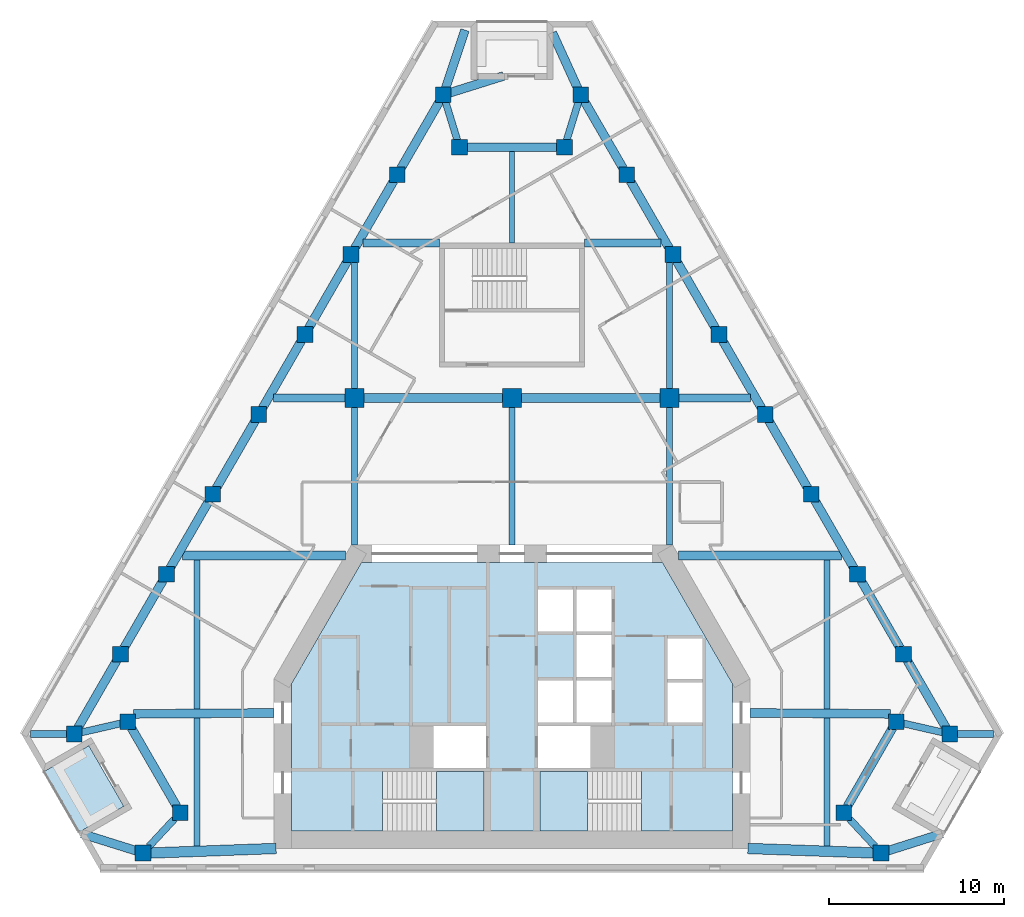
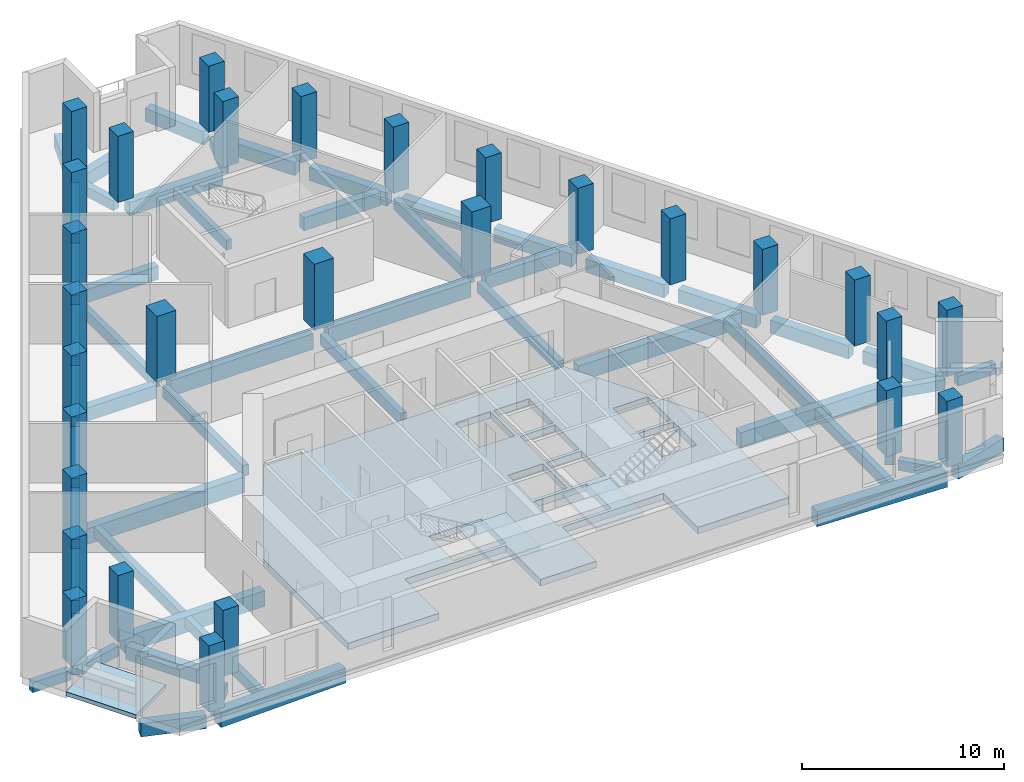
# One storey, part 1 of 9: 54 beams, 29 columns, 4 slabs, 2 elements without a shape of their own.
"""IFC4 building model written with IfcOpenShell, lengths in metres."""

from ifc_helpers import new_model, si_unit, direction, frame, origin, origin_2d, place, context, subcontext, project, spatial, polyline, rectangle, outline, extrude, material, layer, layer_set, material_profile, profile_set, type_object, element, aggregate, save


model = new_model("IFC4")

# Units and contexts
model_context = context("Model", 3, precision=1e-05, world=origin(), true_north=direction((0.0, 1.0)))
body_context = subcontext(model_context, "Body", "Model", "MODEL_VIEW")
ifc_project = project(units=[si_unit("LENGTHUNIT", "METRE"), si_unit("AREAUNIT", "SQUARE_METRE"), si_unit("VOLUMEUNIT", "CUBIC_METRE"), si_unit("PLANEANGLEUNIT", "RADIAN"), si_unit("MASSUNIT", "GRAM", prefix="KILO")], contexts=[model_context])

# Site, building, storey
site_placement = place(None, origin())
site = spatial("IfcSite", under=ifc_project, at=site_placement, CompositionType="ELEMENT")
building_placement = place(site_placement, origin())
building = spatial("IfcBuilding", under=site, at=building_placement, Name="Fogline Exchange Tower", CompositionType="ELEMENT")
storey_placement = place(building_placement, frame((0.0, 0.0, 182.10009765625)))
storey = spatial("IfcBuildingStorey", under=building, at=storey_placement, Name="L40", CompositionType="ELEMENT", Elevation=182.10009765625)

# Columns
ifc_material_1 = material(Name="Concrete C60", Category="concrete")
ifc_material_profile_1 = material_profile(ifc_material_1, rectangle(XDim=1.10009765625, YDim=1.10009765625, at=origin_2d()), Name="RC 1100x1100")
ifc_profile_set_1 = profile_set([ifc_material_profile_1], Name="Concrete C60")
column_type_1 = type_object("IfcColumnType", Name="C05", PredefinedType="COLUMN", material=ifc_profile_set_1)
for number, where, z_axis, x_axis, name in (
    (1, (-9.0, 27.0, 0.0), (0.0, 0.0, 1.0), (1.0, 0.0, 0.0), "IC--9-27"),
    (2, (0.0, 27.0, 0.0), (0.0, 0.0, 1.0), (1.0, 0.0, 0.0), "IC-0-27"),
    (3, (9.0, 27.0, 0.0), (0.0, 0.0, 1.0), (1.0, 0.0, 0.0), "IC-9-27"),
):
    element("IfcColumn", number, at=place(storey_placement, frame(where, z_axis=z_axis, x_axis=x_axis)), inside=storey, type_object=column_type_1, Name=name, PredefinedType="COLUMN", context=body_context, shape_type="SweptSolid", body=[
        extrude(rectangle(XDim=1.10009765625, YDim=1.10009765625, at=origin_2d()), origin(), (0.0, 0.0, 1.0), 4.0),
    ])
ifc_material_profile_2 = material_profile(ifc_material_1, rectangle(XDim=0.89990234375, YDim=0.89990234375, at=origin_2d()), Name="RC 900x900")
ifc_profile_set_2 = profile_set([ifc_material_profile_2], Name="Concrete C60")
column_type_2 = type_object("IfcColumnType", Name="C06", PredefinedType="COLUMN", material=ifc_profile_set_2)
for number, where, z_axis, x_axis, name in (
    (4, (-25.0146484375, 7.794189453125, 0.0), (0.0, 0.0, 1.0), (1.0, 0.0, 0.0), "SW-a"),
    (5, (-21.955322265625, 8.4951171875, 0.0), (0.0, 0.0, 1.0), (1.0, 0.0, 0.0), "SW-p4"),
    (6, (-18.955322265625, 3.299072265625, 0.0), (0.0, 0.0, 1.0), (1.0, 0.0, 0.0), "SW-p3"),
    (7, (-21.092041015625, 1.0, 0.0), (0.0, 0.0, 1.0), (1.0, 0.0, 0.0), "SW-b"),
    (8, (21.092041015625, 1.0, 0.0), (0.0, 0.0, 1.0), (1.0, 0.0, 0.0), "SE-a"),
    (9, (18.955322265625, 3.299072265625, 0.0), (0.0, 0.0, 1.0), (1.0, 0.0, 0.0), "SE-p4"),
    (10, (21.955322265625, 8.4951171875, 0.0), (0.0, 0.0, 1.0), (1.0, 0.0, 0.0), "SE-p3"),
    (11, (25.0146484375, 7.794189453125, 0.0), (0.0, 0.0, 1.0), (1.0, 0.0, 0.0), "SE-b"),
    (12, (22.378173828125, 12.36083984375, 0.0), (0.0, 0.0, 1.0), (1.0, 0.0, 0.0), "E1"),
    (13, (19.74169921875, 16.92724609375, 0.0), (0.0, 0.0, 1.0), (1.0, 0.0, 0.0), "E2"),
    (14, (17.105224609375, 21.493896484375, 0.0), (0.0, 0.0, 1.0), (1.0, 0.0, 0.0), "E3"),
    (15, (14.46875, 26.060302734375, 0.0), (0.0, 0.0, 1.0), (1.0, 0.0, 0.0), "E4"),
    (16, (11.832275390625, 30.626953125, 0.0), (0.0, 0.0, 1.0), (1.0, 0.0, 0.0), "E5"),
    (17, (9.19580078125, 35.193603515625, 0.0), (0.0, 0.0, 1.0), (1.0, 0.0, 0.0), "E6"),
    (18, (6.55908203125, 39.760009765625, 0.0), (0.0, 0.0, 1.0), (1.0, 0.0, 0.0), "E7"),
    (19, (3.922607421875, 44.32666015625, 0.0), (0.0, 0.0, 1.0), (1.0, 0.0, 0.0), "N-a"),
    (20, (3.0, 41.32666015625, 0.0), (0.0, 0.0, 1.0), (1.0, 0.0, 0.0), "N-p4"),
    (21, (-3.0, 41.32666015625, 0.0), (0.0, 0.0, 1.0), (1.0, 0.0, 0.0), "N-p3"),
    (22, (-3.922607421875, 44.32666015625, 0.0), (0.0, 0.0, 1.0), (1.0, 0.0, 0.0), "N-b"),
    (23, (-6.55908203125, 39.760009765625, 0.0), (0.0, 0.0, 1.0), (1.0, 0.0, 0.0), "W1"),
    (24, (-9.19580078125, 35.193603515625, 0.0), (0.0, 0.0, 1.0), (1.0, 0.0, 0.0), "W2"),
    (25, (-11.832275390625, 30.626953125, 0.0), (0.0, 0.0, 1.0), (1.0, 0.0, 0.0), "W3"),
    (26, (-14.46875, 26.060302734375, 0.0), (0.0, 0.0, 1.0), (1.0, 0.0, 0.0), "W4"),
    (27, (-17.105224609375, 21.493896484375, 0.0), (0.0, 0.0, 1.0), (1.0, 0.0, 0.0), "W5"),
    (28, (-19.74169921875, 16.92724609375, 0.0), (0.0, 0.0, 1.0), (1.0, 0.0, 0.0), "W6"),
    (29, (-22.378173828125, 12.36083984375, 0.0), (0.0, 0.0, 1.0), (1.0, 0.0, 0.0), "W7"),
):
    element("IfcColumn", number, at=place(storey_placement, frame(where, z_axis=z_axis, x_axis=x_axis)), inside=storey, type_object=column_type_2, Name=name, PredefinedType="COLUMN", context=body_context, shape_type="SweptSolid", body=[
        extrude(rectangle(XDim=0.89990234375, YDim=0.89990234375, at=origin_2d()), origin(), (0.0, 0.0, 1.0), 4.0),
    ])

# Beams
ifc_material_2 = material(Name="Concrete C40", Category="concrete")
ifc_material_profile_3 = material_profile(ifc_material_2, rectangle(XDim=0.300048828125, YDim=0.60009765625, at=origin_2d()), Name="RC 300x600")
ifc_profile_set_3 = profile_set([ifc_material_profile_3], Name="Concrete C40")
beam_type_1 = type_object("IfcBeamType", Name="B06", PredefinedType="BEAM", material=ifc_profile_set_3)
beam_1_placement = place(storey_placement, frame((0.0, 35.85693359375, -0.7001953125), z_axis=(0.0, 1.0, 0.0), x_axis=(-1.0, 0.0, 0.0)))
element("IfcBeam", 30, at=beam_1_placement, inside=storey, type_object=beam_type_1, Name="SB006", PredefinedType="BEAM", context=body_context, shape_type="SweptSolid", body=[
    extrude(rectangle(XDim=0.300048828125, YDim=0.60009765625, at=origin_2d()), origin(), (0.0, 0.0, 1.0), 5.2197265625),
])
ifc_material_profile_4 = material_profile(ifc_material_2, rectangle(XDim=0.60009765625, YDim=0.89990234375, at=origin_2d()), Name="RC 600x900")
ifc_profile_set_4 = profile_set([ifc_material_profile_4], Name="Concrete C40")
beam_type_2 = type_object("IfcBeamType", Name="B09", PredefinedType="BEAM", material=ifc_profile_set_4)
beam_2_placement = place(storey_placement, frame((-20.761962890625, 0.990234375, -0.85009765625), z_axis=(0.999342679757, 0.036252012589, 0.0), x_axis=(-0.036252012589, 0.999342679757, 0.0)))
element("IfcBeam", 31, at=beam_2_placement, inside=storey, type_object=beam_type_2, Name="RB004", PredefinedType="BEAM", context=body_context, shape_type="SweptSolid", body=[
    extrude(rectangle(XDim=0.60009765625, YDim=0.89990234375, at=origin_2d()), origin(), (0.0, 0.0, 1.0), 7.286865234375),
])
beam_3_placement = place(storey_placement, frame((13.47998046875, 1.25439453125, -0.85009765625), z_axis=(0.999369113188, -0.035515850068, 0.0), x_axis=(0.035515850068, 0.999369113188, 0.0)))
element("IfcBeam", 32, at=beam_3_placement, inside=storey, type_object=beam_type_2, Name="RB005", PredefinedType="BEAM", context=body_context, shape_type="SweptSolid", body=[
    extrude(rectangle(XDim=0.60009765625, YDim=0.89990234375, at=origin_2d()), origin(), (0.0, 0.0, 1.0), 7.28662109375),
])
ifc_material_profile_5 = material_profile(ifc_material_2, rectangle(XDim=0.5, YDim=0.800048828125, at=origin_2d()), Name="RC 500x800")
ifc_profile_set_5 = profile_set([ifc_material_profile_5], Name="Concrete C40")
beam_type_3 = type_object("IfcBeamType", Name="B10", PredefinedType="BEAM", material=ifc_profile_set_5)
for number, where, z_axis, x_axis, name in (
    (33, (-21.75537109375, 8.149169921875, -0.800048828125), (0.499981160238, -0.866036280653, 0.0), (0.866036280653, 0.499981160238, 0.0), "RB002"),
    (34, (19.155029296875, 3.64501953125, -0.800048828125), (0.499981160238, 0.866036280653, 0.0), (-0.866036280653, 0.499981160238, 0.0), "RB007"),
):
    element("IfcBeam", number, at=place(storey_placement, frame(where, z_axis=z_axis, x_axis=x_axis)), inside=storey, type_object=beam_type_3, Name=name, PredefinedType="BEAM", context=body_context, shape_type="SweptSolid", body=[
        extrude(rectangle(XDim=0.5, YDim=0.800048828125, at=origin_2d()), origin(), (0.0, 0.0, 1.0), 5.200927734375),
    ])
beam_4_placement = place(storey_placement, frame((24.814697265625, 8.140380859375, -0.800048828125), z_axis=(-0.500001169707, 0.866024728453, 0.0), x_axis=(-0.866024728453, -0.500001169707, 0.0)))
element("IfcBeam", 35, at=beam_4_placement, inside=storey, type_object=beam_type_3, Name="RB009", PredefinedType="BEAM", context=body_context, shape_type="SweptSolid", body=[
    extrude(rectangle(XDim=0.5, YDim=0.800048828125, at=origin_2d()), origin(), (0.0, 0.0, 1.0), 4.4736328125),
])
beam_5_placement = place(storey_placement, frame((22.17822265625, 12.706787109375, -0.800048828125), z_axis=(-0.499977539641, 0.866038370891, 0.0), x_axis=(-0.866038370891, -0.499977539641, 0.0)))
element("IfcBeam", 36, at=beam_5_placement, inside=storey, type_object=beam_type_3, Name="RB010", PredefinedType="BEAM", context=body_context, shape_type="SweptSolid", body=[
    extrude(rectangle(XDim=0.5, YDim=0.800048828125, at=origin_2d()), origin(), (0.0, 0.0, 1.0), 4.473876953125),
])
for number, where, z_axis, x_axis, name in (
    (37, (19.541748046875, 17.2734375, -0.800048828125), (-0.500001169707, 0.866024728453, 0.0), (-0.866024728453, -0.500001169707, 0.0), "RB011"),
    (38, (16.9052734375, 21.840087890625, -0.800048828125), (-0.500001169707, 0.866024728453, 0.0), (-0.866024728453, -0.500001169707, 0.0), "RB012"),
):
    element("IfcBeam", number, at=place(storey_placement, frame(where, z_axis=z_axis, x_axis=x_axis)), inside=storey, type_object=beam_type_3, Name=name, PredefinedType="BEAM", context=body_context, shape_type="SweptSolid", body=[
        extrude(rectangle(XDim=0.5, YDim=0.800048828125, at=origin_2d()), origin(), (0.0, 0.0, 1.0), 4.4736328125),
    ])
beam_6_placement = place(storey_placement, frame((14.268798828125, 26.406494140625, -0.800048828125), z_axis=(-0.499977539641, 0.866038370891, 0.0), x_axis=(-0.866038370891, -0.499977539641, 0.0)))
element("IfcBeam", 39, at=beam_6_placement, inside=storey, type_object=beam_type_3, Name="RB013", PredefinedType="BEAM", context=body_context, shape_type="SweptSolid", body=[
    extrude(rectangle(XDim=0.5, YDim=0.800048828125, at=origin_2d()), origin(), (0.0, 0.0, 1.0), 4.473876953125),
])
beam_7_placement = place(storey_placement, frame((11.63232421875, 30.97314453125, -0.800048828125), z_axis=(-0.500001169707, 0.866024728453, 0.0), x_axis=(-0.866024728453, -0.500001169707, 0.0)))
element("IfcBeam", 40, at=beam_7_placement, inside=storey, type_object=beam_type_3, Name="RB014", PredefinedType="BEAM", context=body_context, shape_type="SweptSolid", body=[
    extrude(rectangle(XDim=0.5, YDim=0.800048828125, at=origin_2d()), origin(), (0.0, 0.0, 1.0), 4.4736328125),
])
for number, where, z_axis, x_axis, name in (
    (41, (8.995849609375, 35.53955078125, -0.800048828125), (-0.499977539641, 0.866038370891, 0.0), (-0.866038370891, -0.499977539641, 0.0), "RB015"),
    (42, (6.359375, 40.106201171875, -0.800048828125), (-0.499977539641, 0.866038370891, 0.0), (-0.866038370891, -0.499977539641, 0.0), "RB016"),
):
    element("IfcBeam", number, at=place(storey_placement, frame(where, z_axis=z_axis, x_axis=x_axis)), inside=storey, type_object=beam_type_3, Name=name, PredefinedType="BEAM", context=body_context, shape_type="SweptSolid", body=[
        extrude(rectangle(XDim=0.5, YDim=0.800048828125, at=origin_2d()), origin(), (0.0, 0.0, 1.0), 4.473876953125),
    ])
beam_8_placement = place(storey_placement, frame((2.669921875, 41.32666015625, -0.800048828125), z_axis=(-1.0, 0.0, 0.0), x_axis=(0.0, -1.0, 0.0)))
element("IfcBeam", 43, at=beam_8_placement, inside=storey, type_object=beam_type_3, Name="RB018", PredefinedType="BEAM", context=body_context, shape_type="SweptSolid", body=[
    extrude(rectangle(XDim=0.5, YDim=0.800048828125, at=origin_2d()), origin(), (0.0, 0.0, 1.0), 5.33984375),
])
for number, where, z_axis, x_axis, name in (
    (44, (-4.12255859375, 43.980712890625, -0.800048828125), (-0.499977539641, -0.866038370891, 0.0), (0.866038370891, -0.499977539641, 0.0), "RB020"),
    (45, (-6.759033203125, 39.4140625, -0.800048828125), (-0.499977539641, -0.866038370891, 0.0), (0.866038370891, -0.499977539641, 0.0), "RB021"),
):
    element("IfcBeam", number, at=place(storey_placement, frame(where, z_axis=z_axis, x_axis=x_axis)), inside=storey, type_object=beam_type_3, Name=name, PredefinedType="BEAM", context=body_context, shape_type="SweptSolid", body=[
        extrude(rectangle(XDim=0.5, YDim=0.800048828125, at=origin_2d()), origin(), (0.0, 0.0, 1.0), 4.473876953125),
    ])
beam_9_placement = place(storey_placement, frame((-9.3955078125, 34.847412109375, -0.800048828125), z_axis=(-0.500001169707, -0.866024728453, 0.0), x_axis=(0.866024728453, -0.500001169707, 0.0)))
element("IfcBeam", 46, at=beam_9_placement, inside=storey, type_object=beam_type_3, Name="RB022", PredefinedType="BEAM", context=body_context, shape_type="SweptSolid", body=[
    extrude(rectangle(XDim=0.5, YDim=0.800048828125, at=origin_2d()), origin(), (0.0, 0.0, 1.0), 4.4736328125),
])
beam_10_placement = place(storey_placement, frame((-12.031982421875, 30.281005859375, -0.800048828125), z_axis=(-0.499977539641, -0.866038370891, 0.0), x_axis=(0.866038370891, -0.499977539641, 0.0)))
element("IfcBeam", 47, at=beam_10_placement, inside=storey, type_object=beam_type_3, Name="RB023", PredefinedType="BEAM", context=body_context, shape_type="SweptSolid", body=[
    extrude(rectangle(XDim=0.5, YDim=0.800048828125, at=origin_2d()), origin(), (0.0, 0.0, 1.0), 4.473876953125),
])
for number, where, z_axis, x_axis, name in (
    (48, (-14.66845703125, 25.71435546875, -0.800048828125), (-0.500001169707, -0.866024728453, 0.0), (0.866024728453, -0.500001169707, 0.0), "RB024"),
    (49, (-17.304931640625, 21.147705078125, -0.800048828125), (-0.500001169707, -0.866024728453, 0.0), (0.866024728453, -0.500001169707, 0.0), "RB025"),
):
    element("IfcBeam", number, at=place(storey_placement, frame(where, z_axis=z_axis, x_axis=x_axis)), inside=storey, type_object=beam_type_3, Name=name, PredefinedType="BEAM", context=body_context, shape_type="SweptSolid", body=[
        extrude(rectangle(XDim=0.5, YDim=0.800048828125, at=origin_2d()), origin(), (0.0, 0.0, 1.0), 4.4736328125),
    ])
beam_11_placement = place(storey_placement, frame((-19.94140625, 16.581298828125, -0.800048828125), z_axis=(-0.499977539641, -0.866038370891, 0.0), x_axis=(0.866038370891, -0.499977539641, 0.0)))
element("IfcBeam", 50, at=beam_11_placement, inside=storey, type_object=beam_type_3, Name="RB026", PredefinedType="BEAM", context=body_context, shape_type="SweptSolid", body=[
    extrude(rectangle(XDim=0.5, YDim=0.800048828125, at=origin_2d()), origin(), (0.0, 0.0, 1.0), 4.473876953125),
])
beam_12_placement = place(storey_placement, frame((-22.577880859375, 12.0146484375, -0.800048828125), z_axis=(-0.500001169707, -0.866024728453, 0.0), x_axis=(0.866024728453, -0.500001169707, 0.0)))
element("IfcBeam", 51, at=beam_12_placement, inside=storey, type_object=beam_type_3, Name="RB027", PredefinedType="BEAM", context=body_context, shape_type="SweptSolid", body=[
    extrude(rectangle(XDim=0.5, YDim=0.800048828125, at=origin_2d()), origin(), (0.0, 0.0, 1.0), 4.4736328125),
])
beam_13_placement = place(storey_placement, frame((3.767578125, 44.66748046875, -0.800048828125), z_axis=(-0.41445501152, 0.910069801403, 0.0), x_axis=(-0.910069801403, -0.41445501152, 0.0)))
element("IfcBeam", 52, at=beam_13_placement, inside=storey, type_object=beam_type_3, Name="SP028", PredefinedType="BEAM", context=body_context, shape_type="SweptSolid", body=[
    extrude(rectangle(XDim=0.5, YDim=0.800048828125, at=origin_2d()), origin(), (0.0, 0.0, 1.0), 3.525634765625),
])
beam_14_placement = place(storey_placement, frame((-3.810546875, 44.662841796875, -0.800048828125), z_axis=(0.316475647373, 0.948600634946, 0.0), x_axis=(-0.948600634946, 0.316475647373, 0.0)))
element("IfcBeam", 53, at=beam_14_placement, inside=storey, type_object=beam_type_3, Name="SP029", PredefinedType="BEAM", context=body_context, shape_type="SweptSolid", body=[
    extrude(rectangle(XDim=0.5, YDim=0.800048828125, at=origin_2d()), origin(), (0.0, 0.0, 1.0), 3.54541015625),
])
beam_15_placement = place(storey_placement, frame((21.427490234375, 1.106201171875, -0.800048828125), z_axis=(0.9534363812, 0.301594209169, 0.0), x_axis=(-0.301594209169, 0.9534363812, 0.0)))
element("IfcBeam", 54, at=beam_15_placement, inside=storey, type_object=beam_type_3, Name="SP030", PredefinedType="BEAM", context=body_context, shape_type="SweptSolid", body=[
    extrude(rectangle(XDim=0.5, YDim=0.800048828125, at=origin_2d()), origin(), (0.0, 0.0, 1.0), 3.306884765625),
])
beam_16_placement = place(storey_placement, frame((-21.427490234375, 1.10498046875, -0.800048828125), z_axis=(-0.954241264911, 0.299037804202, 0.0), x_axis=(-0.299037804202, -0.954241264911, 0.0)))
element("IfcBeam", 55, at=beam_16_placement, inside=storey, type_object=beam_type_3, Name="SP031", PredefinedType="BEAM", context=body_context, shape_type="SweptSolid", body=[
    extrude(rectangle(XDim=0.5, YDim=0.800048828125, at=origin_2d()), origin(), (0.0, 0.0, 1.0), 3.31640625),
])
beam_17_placement = place(storey_placement, frame((-3.587158203125, 44.431640625, -0.800048828125), z_axis=(0.954371666349, 0.298621369749, 0.0), x_axis=(-0.298621369749, 0.954371666349, 0.0)))
element("IfcBeam", 56, at=beam_17_placement, inside=storey, type_object=beam_type_3, Name="SP034", PredefinedType="BEAM", context=body_context, shape_type="SweptSolid", body=[
    extrude(rectangle(XDim=0.5, YDim=0.800048828125, at=origin_2d()), origin(), (0.0, 0.0, 1.0), 3.250732421875),
])
ifc_material_profile_6 = material_profile(ifc_material_2, rectangle(XDim=0.39990234375, YDim=0.60009765625, at=origin_2d()), Name="RC 400x600")
ifc_profile_set_6 = profile_set([ifc_material_profile_6], Name="Concrete C40")
beam_type_4 = type_object("IfcBeamType", Name="B11", PredefinedType="BEAM", material=ifc_profile_set_6)
beam_18_placement = place(storey_placement, frame((-24.681640625, 7.87060546875, -0.7001953125), z_axis=(0.974743593216, 0.22332695199, 0.0), x_axis=(-0.22332695199, 0.974743593216, 0.0)))
element("IfcBeam", 57, at=beam_18_placement, inside=storey, type_object=beam_type_4, Name="RB001", PredefinedType="BEAM", context=body_context, shape_type="SweptSolid", body=[
    extrude(rectangle(XDim=0.39990234375, YDim=0.60009765625, at=origin_2d()), origin(), (0.0, 0.0, 1.0), 2.455322265625),
])
for number, where, z_axis, x_axis, name in (
    (58, (-19.291748046875, 2.93701171875, -0.7001953125), (-0.680803781492, -0.732465842962, 0.0), (0.732465842962, -0.680803781492, 0.0), "RB003"),
    (59, (20.755615234375, 1.362060546875, -0.7001953125), (-0.680803781492, 0.732465842962, 0.0), (-0.732465842962, -0.680803781492, 0.0), "RB006"),
):
    element("IfcBeam", number, at=place(storey_placement, frame(where, z_axis=z_axis, x_axis=x_axis)), inside=storey, type_object=beam_type_4, Name=name, PredefinedType="BEAM", context=body_context, shape_type="SweptSolid", body=[
        extrude(rectangle(XDim=0.39990234375, YDim=0.60009765625, at=origin_2d()), origin(), (0.0, 0.0, 1.0), 2.150146484375),
    ])
beam_19_placement = place(storey_placement, frame((22.288330078125, 8.4189453125, -0.7001953125), z_axis=(0.974743593216, -0.22332695199, 0.0), x_axis=(0.22332695199, 0.974743593216, 0.0)))
element("IfcBeam", 60, at=beam_19_placement, inside=storey, type_object=beam_type_4, Name="RB008", PredefinedType="BEAM", context=body_context, shape_type="SweptSolid", body=[
    extrude(rectangle(XDim=0.39990234375, YDim=0.60009765625, at=origin_2d()), origin(), (0.0, 0.0, 1.0), 2.455322265625),
])
for number, where, z_axis, x_axis, name in (
    (61, (3.819580078125, 43.991455078125, -0.7001953125), (-0.294022492362, -0.955798500724, 0.0), (0.955798500724, -0.294022492362, 0.0), "RB017"),
    (62, (-3.10302734375, 41.662109375, -0.7001953125), (-0.294022492362, 0.955798500724, 0.0), (-0.955798500724, -0.294022492362, 0.0), "RB019"),
):
    element("IfcBeam", number, at=place(storey_placement, frame(where, z_axis=z_axis, x_axis=x_axis)), inside=storey, type_object=beam_type_4, Name=name, PredefinedType="BEAM", context=body_context, shape_type="SweptSolid", body=[
        extrude(rectangle(XDim=0.39990234375, YDim=0.60009765625, at=origin_2d()), origin(), (0.0, 0.0, 1.0), 2.43701171875),
    ])
beam_20_placement = place(storey_placement, frame((-25.3447265625, 7.794189453125, -0.7001953125), z_axis=(-1.0, 0.0, 0.0), x_axis=(0.0, -1.0, 0.0)))
element("IfcBeam", 63, at=beam_20_placement, inside=storey, type_object=beam_type_4, Name="SP032", PredefinedType="BEAM", context=body_context, shape_type="SweptSolid", body=[
    extrude(rectangle(XDim=0.39990234375, YDim=0.60009765625, at=origin_2d()), origin(), (0.0, 0.0, 1.0), 2.1865234375),
])
beam_21_placement = place(storey_placement, frame((25.3447265625, 7.795654296875, -0.7001953125), z_axis=(0.999990452788, 0.00436970618, 0.0), x_axis=(-0.00436970618, 0.999990452788, 0.0)))
element("IfcBeam", 64, at=beam_21_placement, inside=storey, type_object=beam_type_4, Name="SP033", PredefinedType="BEAM", context=body_context, shape_type="SweptSolid", body=[
    extrude(rectangle(XDim=0.39990234375, YDim=0.60009765625, at=origin_2d()), origin(), (0.0, 0.0, 1.0), 2.178955078125),
])
ifc_material_profile_7 = material_profile(ifc_material_2, rectangle(XDim=0.5, YDim=0.949951171875, at=origin_2d()), Name="RC 500x950")
ifc_profile_set_7 = profile_set([ifc_material_profile_7], Name="Concrete C40")
beam_type_5 = type_object("IfcBeamType", Name="B14", PredefinedType="BEAM", material=ifc_profile_set_7)
for number, where, z_axis, x_axis, name in (
    (65, (-21.625244140625, 8.9443359375, -0.875), (0.999975945397, 0.006936038318, 0.0), (-0.006936038318, 0.999975945397, 0.0), "GB001"),
    (66, (13.60009765625, 9.0, -0.875), (0.999975945397, -0.006936038318, 0.0), (0.006936038318, 0.999975945397, 0.0), "GB002"),
):
    element("IfcBeam", number, at=place(storey_placement, frame(where, z_axis=z_axis, x_axis=x_axis)), inside=storey, type_object=beam_type_5, Name=name, PredefinedType="BEAM", context=body_context, shape_type="SweptSolid", body=[
        extrude(rectangle(XDim=0.5, YDim=0.949951171875, at=origin_2d()), origin(), (0.0, 0.0, 1.0), 8.025390625),
    ])
for number, where, z_axis, x_axis, name in (
    (67, (-18.833740234375, 18.0, -0.875), (1.0, 0.0, 0.0), (0.0, 1.0, 0.0), "GB003"),
    (68, (9.527099609375, 18.0, -0.875), (1.0, 0.0, 0.0), (0.0, 1.0, 0.0), "GB004"),
):
    element("IfcBeam", number, at=place(storey_placement, frame(where, z_axis=z_axis, x_axis=x_axis)), inside=storey, type_object=beam_type_5, Name=name, PredefinedType="BEAM", context=body_context, shape_type="SweptSolid", body=[
        extrude(rectangle(XDim=0.5, YDim=0.949951171875, at=origin_2d()), origin(), (0.0, 0.0, 1.0), 9.306640625),
    ])
for number, where, z_axis, x_axis, name in (
    (69, (-8.570068359375, 27.0, -0.875), (1.0, 0.0, 0.0), (0.0, 1.0, 0.0), "GB006"),
    (70, (0.429931640625, 27.0, -0.875), (1.0, 0.0, 0.0), (0.0, 1.0, 0.0), "GB007"),
):
    element("IfcBeam", number, at=place(storey_placement, frame(where, z_axis=z_axis, x_axis=x_axis)), inside=storey, type_object=beam_type_5, Name=name, PredefinedType="BEAM", context=body_context, shape_type="SweptSolid", body=[
        extrude(rectangle(XDim=0.5, YDim=0.949951171875, at=origin_2d()), origin(), (0.0, 0.0, 1.0), 8.14013671875),
    ])
ifc_material_profile_8 = material_profile(ifc_material_2, rectangle(XDim=0.35009765625, YDim=0.64990234375, at=origin_2d()), Name="RC 350x650")
ifc_profile_set_8 = profile_set([ifc_material_profile_8], Name="Concrete C40")
beam_type_6 = type_object("IfcBeamType", Name="B16", PredefinedType="BEAM", material=ifc_profile_set_8)
beam_22_placement = place(storey_placement, frame((-18.0, 1.390625, -0.72509765625), z_axis=(0.0, 1.0, 0.0), x_axis=(-1.0, 0.0, 0.0)))
element("IfcBeam", 71, at=beam_22_placement, inside=storey, type_object=beam_type_6, Name="SB001", PredefinedType="BEAM", context=body_context, shape_type="SweptSolid", body=[
    extrude(rectangle(XDim=0.35009765625, YDim=0.64990234375, at=origin_2d()), origin(), (0.0, 0.0, 1.0), 7.328857421875),
])
beam_23_placement = place(storey_placement, frame((-18.0, 9.219482421875, -0.72509765625), z_axis=(0.0, 1.0, 0.0), x_axis=(-1.0, 0.0, 0.0)))
element("IfcBeam", 72, at=beam_23_placement, inside=storey, type_object=beam_type_6, Name="SB002", PredefinedType="BEAM", context=body_context, shape_type="SweptSolid", body=[
    extrude(rectangle(XDim=0.35009765625, YDim=0.64990234375, at=origin_2d()), origin(), (0.0, 0.0, 1.0), 8.530517578125),
])
beam_24_placement = place(storey_placement, frame((-9.0, 18.60009765625, -0.72509765625), z_axis=(0.0, 1.0, 0.0), x_axis=(-1.0, 0.0, 0.0)))
element("IfcBeam", 73, at=beam_24_placement, inside=storey, type_object=beam_type_6, Name="SB003", PredefinedType="BEAM", context=body_context, shape_type="SweptSolid", body=[
    extrude(rectangle(XDim=0.35009765625, YDim=0.64990234375, at=origin_2d()), origin(), (0.0, 0.0, 1.0), 7.969970703125),
])
beam_25_placement = place(storey_placement, frame((-9.0, 27.429931640625, -0.72509765625), z_axis=(0.0, 1.0, 0.0), x_axis=(-1.0, 0.0, 0.0)))
element("IfcBeam", 74, at=beam_25_placement, inside=storey, type_object=beam_type_6, Name="SB004", PredefinedType="BEAM", context=body_context, shape_type="SweptSolid", body=[
    extrude(rectangle(XDim=0.35009765625, YDim=0.64990234375, at=origin_2d()), origin(), (0.0, 0.0, 1.0), 7.43359375),
])
for number, where, z_axis, x_axis, name in (
    (75, (0.0, 18.60009765625, -0.72509765625), (0.0, 1.0, 0.0), (-1.0, 0.0, 0.0), "SB005"),
    (76, (9.0, 18.60009765625, -0.72509765625), (0.0, 1.0, 0.0), (-1.0, 0.0, 0.0), "SB007"),
):
    element("IfcBeam", number, at=place(storey_placement, frame(where, z_axis=z_axis, x_axis=x_axis)), inside=storey, type_object=beam_type_6, Name=name, PredefinedType="BEAM", context=body_context, shape_type="SweptSolid", body=[
        extrude(rectangle(XDim=0.35009765625, YDim=0.64990234375, at=origin_2d()), origin(), (0.0, 0.0, 1.0), 7.969970703125),
    ])
beam_26_placement = place(storey_placement, frame((9.0, 27.429931640625, -0.72509765625), z_axis=(0.0, 1.0, 0.0), x_axis=(-1.0, 0.0, 0.0)))
element("IfcBeam", 77, at=beam_26_placement, inside=storey, type_object=beam_type_6, Name="SB008", PredefinedType="BEAM", context=body_context, shape_type="SweptSolid", body=[
    extrude(rectangle(XDim=0.35009765625, YDim=0.64990234375, at=origin_2d()), origin(), (0.0, 0.0, 1.0), 7.43359375),
])
beam_27_placement = place(storey_placement, frame((18.0, 1.39404296875, -0.72509765625), z_axis=(0.0, 1.0, 0.0), x_axis=(-1.0, 0.0, 0.0)))
element("IfcBeam", 78, at=beam_27_placement, inside=storey, type_object=beam_type_6, Name="SB009", PredefinedType="BEAM", context=body_context, shape_type="SweptSolid", body=[
    extrude(rectangle(XDim=0.35009765625, YDim=0.64990234375, at=origin_2d()), origin(), (0.0, 0.0, 1.0), 7.325439453125),
])
beam_28_placement = place(storey_placement, frame((18.0, 9.219482421875, -0.72509765625), z_axis=(0.0, 1.0, 0.0), x_axis=(-1.0, 0.0, 0.0)))
element("IfcBeam", 79, at=beam_28_placement, inside=storey, type_object=beam_type_6, Name="SB010", PredefinedType="BEAM", context=body_context, shape_type="SweptSolid", body=[
    extrude(rectangle(XDim=0.35009765625, YDim=0.64990234375, at=origin_2d()), origin(), (0.0, 0.0, 1.0), 8.530517578125),
])
ifc_material_profile_9 = material_profile(ifc_material_2, rectangle(XDim=0.449951171875, YDim=0.800048828125, at=origin_2d()), Name="RC 450x800")
ifc_profile_set_9 = profile_set([ifc_material_profile_9], Name="Concrete C40")
beam_type_7 = type_object("IfcBeamType", Name="B18", PredefinedType="BEAM", material=ifc_profile_set_9)
for number, where, z_axis, x_axis, name in (
    (80, (-13.637451171875, 27.0, -0.800048828125), (1.0, 0.0, 0.0), (0.0, 1.0, 0.0), "GB005"),
    (81, (9.429931640625, 27.0, -0.800048828125), (1.0, 0.0, 0.0), (0.0, 1.0, 0.0), "GB008"),
):
    element("IfcBeam", number, at=place(storey_placement, frame(where, z_axis=z_axis, x_axis=x_axis)), inside=storey, type_object=beam_type_7, Name=name, PredefinedType="BEAM", context=body_context, shape_type="SweptSolid", body=[
        extrude(rectangle(XDim=0.449951171875, YDim=0.800048828125, at=origin_2d()), origin(), (0.0, 0.0, 1.0), 4.20751953125),
    ])
for number, where, z_axis, x_axis, name in (
    (82, (-8.52392578125, 35.85693359375, -0.800048828125), (1.0, 0.0, 0.0), (0.0, 1.0, 0.0), "GB009"),
    (83, (4.14990234375, 35.85693359375, -0.800048828125), (1.0, 0.0, 0.0), (0.0, 1.0, 0.0), "GB010"),
):
    element("IfcBeam", number, at=place(storey_placement, frame(where, z_axis=z_axis, x_axis=x_axis)), inside=storey, type_object=beam_type_7, Name=name, PredefinedType="BEAM", context=body_context, shape_type="SweptSolid", body=[
        extrude(rectangle(XDim=0.449951171875, YDim=0.800048828125, at=origin_2d()), origin(), (0.0, 0.0, 1.0), 4.3740234375),
    ])

# Slabs
ifc_layer_1 = layer(ifc_material_2, 0.25)
ifc_layer_set_1 = layer_set([ifc_layer_1], Name="DK1")
slab_type_1 = type_object("IfcSlabType", Name="DK1", PredefinedType="FLOOR", material=ifc_layer_set_1)
slab_1_placement = place(storey_placement, frame((0.0, 0.0, -0.25)))
element("IfcSlab", 84, at=slab_1_placement, inside=storey, type_object=slab_type_1, Name="Balcony L40 SW", PredefinedType="FLOOR", context=body_context, shape_type="SweptSolid", body=[
    extrude(outline(polyline([(-26.78125, 5.629150390625), (-24.78125, 2.1650390625), (-22.18310546875, 3.6650390625), (-24.18310546875, 7.129150390625), (-26.78125, 5.629150390625)])), origin(), (0.0, 0.0, 1.0), 0.25),
])
ifc_layer_2 = layer(ifc_material_2, 0.39990234375)
ifc_layer_set_2 = layer_set([ifc_layer_2], Name="S03")
slab_type_2 = type_object("IfcSlabType", Name="S03", PredefinedType="FLOOR", material=ifc_layer_set_2)
slab_2_placement = place(storey_placement, frame((0.0, 0.0, -0.400146484375)))
element("IfcSlab", 85, at=slab_2_placement, inside=storey, type_object=slab_type_2, Name="Core floor slab", PredefinedType="FLOOR", context=body_context, shape_type="SweptSolid", body=[
    extrude(outline(polyline([(-12.60009765625, 2.25), (-12.60009765625, 10.677490234375), (-8.603271484375, 17.60009765625), (8.603271484375, 17.60009765625), (12.60009765625, 10.677490234375), (12.60009765625, 2.25), (7.389892578125, 2.25), (7.389892578125, 5.64990234375), (1.60009765625, 5.64990234375), (1.60009765625, 2.25), (-1.60009765625, 2.25), (-1.60009765625, 5.64990234375), (-7.389892578125, 5.64990234375), (-7.389892578125, 2.25), (-12.60009765625, 2.25)]), holes=[polyline([(-4.5, 8.25), (-4.5, 5.85009765625), (-1.5, 5.85009765625), (-1.5, 8.25), (-4.5, 8.25)]), polyline([(4.5, 8.25), (1.5, 8.25), (1.5, 5.85009765625), (4.5, 5.85009765625), (4.5, 8.25)]), polyline([(3.5, 10.85009765625), (1.5, 10.85009765625), (1.5, 8.449951171875), (3.5, 8.449951171875), (3.5, 10.85009765625)]), polyline([(1.5, 16.050048828125), (1.5, 13.64990234375), (3.5, 13.64990234375), (3.5, 16.050048828125), (1.5, 16.050048828125)]), polyline([(10.89990234375, 10.75), (8.89990234375, 10.75), (8.89990234375, 8.449951171875), (10.89990234375, 8.449951171875), (10.89990234375, 10.75)]), polyline([(5.699951171875, 10.85009765625), (3.699951171875, 10.85009765625), (3.699951171875, 8.449951171875), (5.699951171875, 8.449951171875), (5.699951171875, 10.85009765625)]), polyline([(8.89990234375, 13.25), (8.89990234375, 10.949951171875), (10.89990234375, 10.949951171875), (10.89990234375, 13.25), (8.89990234375, 13.25)]), polyline([(5.699951171875, 13.449951171875), (3.699951171875, 13.449951171875), (3.699951171875, 11.050048828125), (5.699951171875, 11.050048828125), (5.699951171875, 13.449951171875)]), polyline([(5.699951171875, 16.050048828125), (3.699951171875, 16.050048828125), (3.699951171875, 13.64990234375), (5.699951171875, 13.64990234375), (5.699951171875, 16.050048828125)])]), origin(), (0.0, 0.0, 1.0), 0.400146484375),
])

# Stair, slab
stair_type = type_object("IfcStairType", Name="STR24-1667", PredefinedType="HALF_TURN_STAIR", material=ifc_material_2)
stair_1_placement = place(storey_placement, origin())
stair_1 = element("IfcStair", 86, at=stair_1_placement, inside=storey, type_object=stair_type, Name="Stair ST1", PredefinedType="HALF_TURN_STAIR")
ifc_layer_3 = layer(ifc_material_2, 0.199951171875)
ifc_layer_set_3 = layer_set([ifc_layer_3], Name="SL200")
slab_type_3 = type_object("IfcSlabType", Name="SL200", PredefinedType="LANDING", material=ifc_layer_set_3)
slab_3_placement = place(storey_placement, frame((0.0, 0.0, 1.7998046875)))
slab_3 = element("IfcSlab", 87, at=slab_3_placement, type_object=slab_type_3, Name="ST1 landing 1", PredefinedType="LANDING", context=body_context, shape_type="SweptSolid", body=[
    extrude(outline(polyline([(-4.320068359375, 2.25), (-1.60009765625, 2.25), (-1.60009765625, 5.64990234375), (-4.320068359375, 5.64990234375), (-4.320068359375, 2.25)])), origin(), (0.0, 0.0, 1.0), 0.2001953125),
])
aggregate(stair_1, [slab_3])

stair_2_placement = place(storey_placement, origin())
stair_2 = element("IfcStair", 88, at=stair_2_placement, inside=storey, type_object=stair_type, Name="Stair ST2", PredefinedType="HALF_TURN_STAIR")
slab_4_placement = place(storey_placement, frame((0.0, 0.0, 1.7998046875)))
slab_4 = element("IfcSlab", 89, at=slab_4_placement, type_object=slab_type_3, Name="ST2 landing 1", PredefinedType="LANDING", context=body_context, shape_type="SweptSolid", body=[
    extrude(outline(polyline([(1.60009765625, 2.25), (4.320068359375, 2.25), (4.320068359375, 5.64990234375), (1.60009765625, 5.64990234375), (1.60009765625, 2.25)])), origin(), (0.0, 0.0, 1.0), 0.2001953125),
])
aggregate(stair_2, [slab_4])

save(model, "model.ifc")
